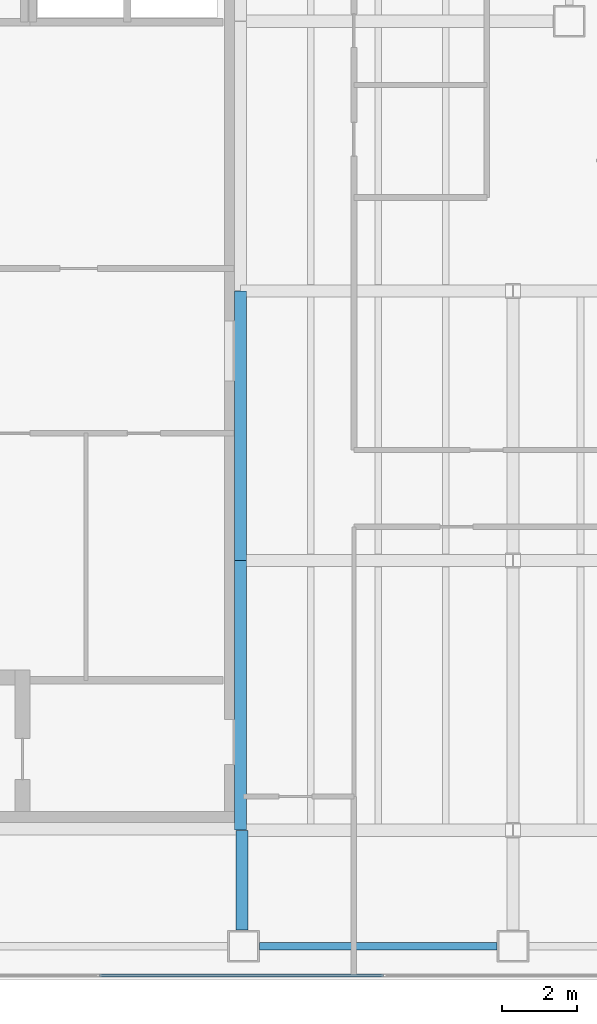
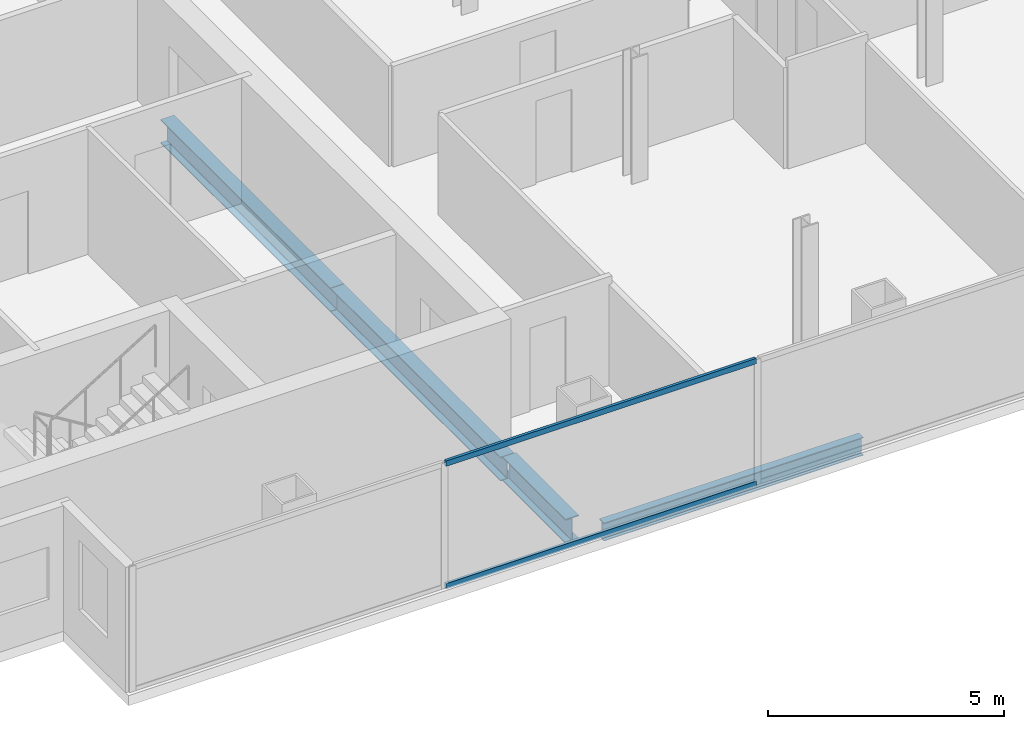
# One storey, part 3 of 23: 4 beams, 2 members, 1 element without a shape of its own.
"""IFC4 building model written with IfcOpenShell, lengths in metres."""

from ifc_helpers import new_model, si_unit, direction, frame, origin, origin_2d, place, context, subcontext, project, spatial, hollow_rectangle, i_section, extrude, material, material_profile, profile_set, type_object, element, aggregate, save


model = new_model("IFC4")

# Units and contexts
model_context = context("Model", 3, precision=1e-05, world=origin(), true_north=direction((0.0, 1.0)))
body_context = subcontext(model_context, "Body", "Model", "MODEL_VIEW")
ifc_project = project(units=[si_unit("LENGTHUNIT", "METRE"), si_unit("AREAUNIT", "SQUARE_METRE"), si_unit("VOLUMEUNIT", "CUBIC_METRE"), si_unit("PLANEANGLEUNIT", "RADIAN"), si_unit("MASSUNIT", "GRAM", prefix="KILO")], contexts=[model_context])

# Site, building, storey
site_placement = place(None, origin())
site = spatial("IfcSite", under=ifc_project, at=site_placement, CompositionType="ELEMENT")
building_placement = place(site_placement, origin())
building = spatial("IfcBuilding", under=site, at=building_placement, Name="Cobrela Telecom Tower", CompositionType="ELEMENT")
storey_placement = place(building_placement, frame((0.0, 0.0, 183.75)))
storey = spatial("IfcBuildingStorey", under=building, at=storey_placement, Name="L46", CompositionType="ELEMENT", Elevation=183.75)

# Beams
ifc_material_1 = material(Name="Steel ASTM A992 Grade 50", Category="steel")
ifc_material_profile_1 = material_profile(ifc_material_1, i_section(OverallWidth=0.327880859375, OverallDepth=0.6220703125, WebThickness=0.015380859375, FlangeThickness=0.0244140625, FilletRadius=0.014892578125, at=origin_2d()), Name="W24X131")
ifc_profile_set_1 = profile_set([ifc_material_profile_1], Name="Steel ASTM A992 Grade 50")
beam_type_1 = type_object("IfcBeamType", Name="BM-GIRD-06", PredefinedType="USERDEFINED", material=ifc_profile_set_1)
beam_1_placement = place(storey_placement, frame((14.360107421875, 4.530029296875, -0.571044921875), z_axis=(0.0, 1.0, 0.0), x_axis=(-1.0, 0.0, 0.0)))
element("IfcBeam", 1, at=beam_1_placement, inside=storey, type_object=beam_type_1, Name="L46 Primary Girder Y26", ObjectType="GIRDER", PredefinedType="USERDEFINED", context=body_context, shape_type="SweptSolid", body=[
    extrude(i_section(OverallWidth=0.327880859375, OverallDepth=0.6220703125, WebThickness=0.015380859375, FlangeThickness=0.0244140625, FilletRadius=0.014892578125, at=origin_2d()), origin(), (0.0, 0.0, 1.0), 2.6650390625),
])
for number, where, z_axis, x_axis, name in (
    (2, (14.320068359375, 7.205078125, -0.571044921875), (0.0, 1.0, 0.0), (-1.0, 0.0, 0.0), "L46 Primary Girder Y27"),
    (3, (14.320068359375, 14.405029296875, -0.571044921875), (0.0, 1.0, 0.0), (-1.0, 0.0, 0.0), "L46 Primary Girder Y28"),
):
    element("IfcBeam", number, at=place(storey_placement, frame(where, z_axis=z_axis, x_axis=x_axis)), inside=storey, type_object=beam_type_1, Name=name, ObjectType="GIRDER", PredefinedType="USERDEFINED", context=body_context, shape_type="SweptSolid", body=[
        extrude(i_section(OverallWidth=0.327880859375, OverallDepth=0.6220703125, WebThickness=0.015380859375, FlangeThickness=0.0244140625, FilletRadius=0.014892578125, at=origin_2d()), origin(), (0.0, 0.0, 1.0), 7.18994140625),
    ])
ifc_material_profile_2 = material_profile(ifc_material_1, i_section(OverallWidth=0.193115234375, OverallDepth=0.467041015625, WebThickness=0.011474609375, FlangeThickness=0.01904296875, FilletRadius=0.012939453125, at=origin_2d()), Name="W18X65")
ifc_profile_set_2 = profile_set([ifc_material_profile_2], Name="Steel ASTM A992 Grade 50")
beam_type_2 = type_object("IfcBeamType", Name="BM-SPAND-05", PredefinedType="SPANDREL", material=ifc_profile_set_2)
beam_2_placement = place(storey_placement, frame((14.830078125, 4.10009765625, -0.493408203125), z_axis=(1.0, 0.0, 0.0), x_axis=(0.0, 1.0, 0.0)))
element("IfcBeam", 4, at=beam_2_placement, inside=storey, type_object=beam_type_2, Name="L46 Perimeter Spandrel X02", PredefinedType="SPANDREL", context=body_context, shape_type="SweptSolid", body=[
    extrude(i_section(OverallWidth=0.193115234375, OverallDepth=0.467041015625, WebThickness=0.011474609375, FlangeThickness=0.01904296875, FilletRadius=0.012939453125, at=origin_2d()), origin(), (0.0, 0.0, 1.0), 6.33984375),
])

# Curtain wall, members
ifc_material_2 = material(Name="Anodized Bronze Aluminium 6063-T6", Category="aluminium")
curtain_wall_type = type_object("IfcCurtainWallType", Name="CW-SYS-OFF-LO", PredefinedType="USERDEFINED", material=ifc_material_2)
curtain_wall_placement = place(storey_placement, origin())
curtain_wall = element("IfcCurtainWall", 5, at=curtain_wall_placement, inside=storey, type_object=curtain_wall_type, Name="L46 Unitised Bronze Curtain Wall 17", ObjectType="UNITISED CURTAIN WALL", PredefinedType="USERDEFINED")
ifc_material_profile_3 = material_profile(ifc_material_2, hollow_rectangle(XDim=0.070068359375, YDim=0.139892578125, WallThickness=0.00390625, at=origin_2d()), Name="ALU 70x140x4")
ifc_profile_set_3 = profile_set([ifc_material_profile_3], Name="Anodized Bronze Aluminium 6063-T6")
member_type = type_object("IfcMemberType", Name="CW-SYS-OFF-LO-TRN", PredefinedType="USERDEFINED", material=ifc_profile_set_3)
member_1_placement = place(storey_placement, frame((18.138916015625, 3.320068359375, 0.034912109375), z_axis=(-1.0, 0.0, 0.0), x_axis=(0.0, -1.0, 0.0)))
member_1 = element("IfcMember", 6, at=member_1_placement, type_object=member_type, Name="CW-OFF-LO transom 4.1", ObjectType="TRANSOM", PredefinedType="USERDEFINED", context=body_context, shape_type="SweptSolid", body=[
    extrude(hollow_rectangle(XDim=0.070068359375, YDim=0.139892578125, WallThickness=0.00390625, at=origin_2d()), origin(), (0.0, 0.0, 1.0), 7.58203125),
])
member_2_placement = place(storey_placement, frame((18.138916015625, 3.320068359375, 3.205078125), z_axis=(-1.0, 0.0, 0.0), x_axis=(0.0, -1.0, 0.0)))
member_2 = element("IfcMember", 7, at=member_2_placement, type_object=member_type, Name="CW-OFF-LO transom 4.2", ObjectType="TRANSOM", PredefinedType="USERDEFINED", context=body_context, shape_type="SweptSolid", body=[
    extrude(hollow_rectangle(XDim=0.070068359375, YDim=0.139892578125, WallThickness=0.00390625, at=origin_2d()), origin(), (0.0, 0.0, 1.0), 7.58203125),
])
aggregate(curtain_wall, [member_1, member_2])

save(model, "model.ifc")
